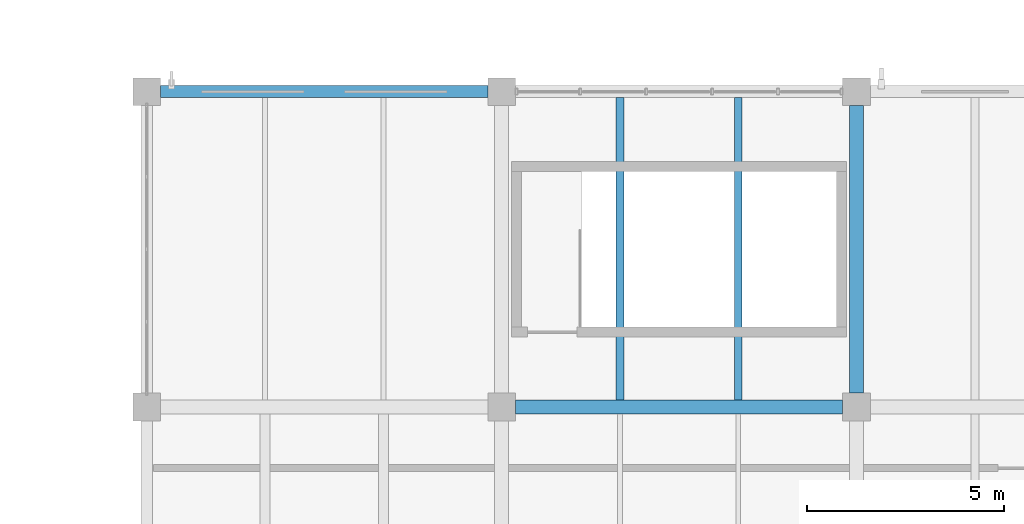
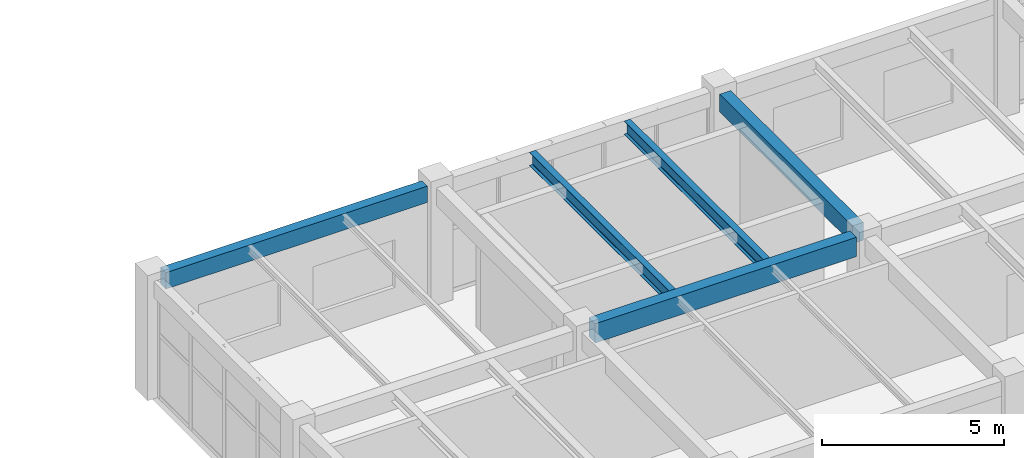
# One storey, part 63 of 128: 5 beams.
"""IFC4 building model written with IfcOpenShell, lengths in metres."""

from ifc_helpers import new_model, si_unit, derived_unit, direction, frame, origin, origin_2d, place, context, subcontext, project, spatial, rectangle, i_section, extrude, material, material_profile, profile_set, type_object, element, save


model = new_model("IFC4")

# Units and contexts
model_context = context("Model", 3, precision=1e-05, world=origin(), true_north=direction((0.0, 1.0)))
body_context = subcontext(model_context, "Body", "Model", "MODEL_VIEW")
ifc_project = project(units=[si_unit("LENGTHUNIT", "METRE"), si_unit("AREAUNIT", "SQUARE_METRE"), si_unit("VOLUMEUNIT", "CUBIC_METRE"), si_unit("PLANEANGLEUNIT", "RADIAN"), si_unit("MASSUNIT", "GRAM", prefix="KILO"), derived_unit("THERMALTRANSMITTANCEUNIT", [(si_unit("MASSUNIT", "GRAM", prefix="KILO"), 1), (si_unit("TIMEUNIT", "SECOND"), -3), (si_unit("THERMODYNAMICTEMPERATUREUNIT", "KELVIN"), -1)])], contexts=[model_context])

# Site, building, storey
site_placement = place(None, origin())
site = spatial("IfcSite", under=ifc_project, at=site_placement, CompositionType="ELEMENT")
building_placement = place(site_placement, origin())
building = spatial("IfcBuilding", under=site, at=building_placement, Name="Zhenchuan Archway Interchange", CompositionType="ELEMENT")
storey_placement = place(building_placement, frame((0.0, 0.0, 14.39990234375)))
storey = spatial("IfcBuildingStorey", under=building, at=storey_placement, Name="L03", CompositionType="ELEMENT", Elevation=14.39990234375)

# Beams
ifc_material_1 = material(Name="Concrete C40", Category="concrete")
ifc_material_profile_1 = material_profile(ifc_material_1, rectangle(XDim=0.35009765625, YDim=0.60009765625, at=origin_2d()), Name="RC 350x600")
ifc_profile_set_1 = profile_set([ifc_material_profile_1], Name="Concrete C40")
beam_type_1 = type_object("IfcBeamType", Name="BM_RC_350x600", PredefinedType="BEAM", material=ifc_profile_set_1)
beam_1_placement = place(storey_placement, frame((126.0, 96.35009765625, 3.64013671875), z_axis=(0.0, 1.0, 0.0), x_axis=(-1.0, 0.0, 0.0)))
element("IfcBeam", 1, at=beam_1_placement, inside=storey, type_object=beam_type_1, Name="Beam 15:N-O (L03)", PredefinedType="BEAM", context=body_context, shape_type="SweptSolid", body=[
    extrude(rectangle(XDim=0.35009765625, YDim=0.60009765625, at=origin_2d()), origin(), (0.0, 0.0, 1.0), 7.2998046875),
])
ifc_material_profile_2 = material_profile(ifc_material_1, rectangle(XDim=0.35009765625, YDim=0.64990234375, at=origin_2d()), Name="RC 350x650")
ifc_profile_set_2 = profile_set([ifc_material_profile_2], Name="Concrete C40")
beam_type_2 = type_object("IfcBeamType", Name="BM_RC_350x650", PredefinedType="BEAM", material=ifc_profile_set_2)
beam_2_placement = place(storey_placement, frame((117.35009765625, 96.0, 3.614990234375), z_axis=(1.0, 0.0, 0.0), x_axis=(0.0, 1.0, 0.0)))
element("IfcBeam", 2, at=beam_2_placement, inside=storey, type_object=beam_type_2, Name="Beam N:14-15 (L03)", PredefinedType="BEAM", context=body_context, shape_type="SweptSolid", body=[
    extrude(rectangle(XDim=0.35009765625, YDim=0.64990234375, at=origin_2d()), origin(), (0.0, 0.0, 1.0), 8.2998046875),
])
ifc_material_2 = material(Name="Steel Q355", Category="steel")
ifc_material_profile_3 = material_profile(ifc_material_2, i_section(OverallWidth=0.199951171875, OverallDepth=0.449951171875, WebThickness=0.009033203125, FlangeThickness=0.013916015625, FilletRadius=0.01806640625, at=origin_2d()), Name="HN 450x200")
ifc_profile_set_3 = profile_set([ifc_material_profile_3], Name="Steel Q355")
beam_type_3 = type_object("IfcBeamType", Name="JST_STL_HN450", PredefinedType="JOIST", material=ifc_profile_set_3)
for number, where, z_axis, x_axis, name in (
    (3, (120.0, 96.175048828125, 3.715087890625), (0.0, 1.0, 0.0), (-1.0, 0.0, 0.0), "Secondary joist 14-15/N-O #1 (L03)"),
    (4, (123.0, 96.175048828125, 3.715087890625), (0.0, 1.0, 0.0), (-1.0, 0.0, 0.0), "Secondary joist 14-15/N-O #2 (L03)"),
):
    element("IfcBeam", number, at=place(storey_placement, frame(where, z_axis=z_axis, x_axis=x_axis)), inside=storey, type_object=beam_type_3, Name=name, PredefinedType="JOIST", context=body_context, shape_type="SweptSolid", body=[
        extrude(i_section(OverallWidth=0.199951171875, OverallDepth=0.449951171875, WebThickness=0.009033203125, FlangeThickness=0.013916015625, FilletRadius=0.01806640625, at=origin_2d()), origin(), (0.0, 0.0, 1.0), 7.675048828125),
    ])
ifc_material_profile_4 = material_profile(ifc_material_1, rectangle(XDim=0.300048828125, YDim=0.550048828125, at=origin_2d()), Name="RC 300x550")
ifc_profile_set_4 = profile_set([ifc_material_profile_4], Name="Concrete C40")
beam_type_4 = type_object("IfcBeamType", Name="SP_RC_300x550", PredefinedType="SPANDREL", material=ifc_profile_set_4)
beam_3_placement = place(storey_placement, frame((108.35009765625, 104.0, 3.6650390625), z_axis=(1.0, 0.0, 0.0), x_axis=(0.0, 1.0, 0.0)))
element("IfcBeam", 5, at=beam_3_placement, inside=storey, type_object=beam_type_4, Name="Beam O:13-14 (L03)", PredefinedType="SPANDREL", context=body_context, shape_type="SweptSolid", body=[
    extrude(rectangle(XDim=0.300048828125, YDim=0.550048828125, at=origin_2d()), origin(), (0.0, 0.0, 1.0), 8.2998046875),
])

save(model, "model.ifc")
